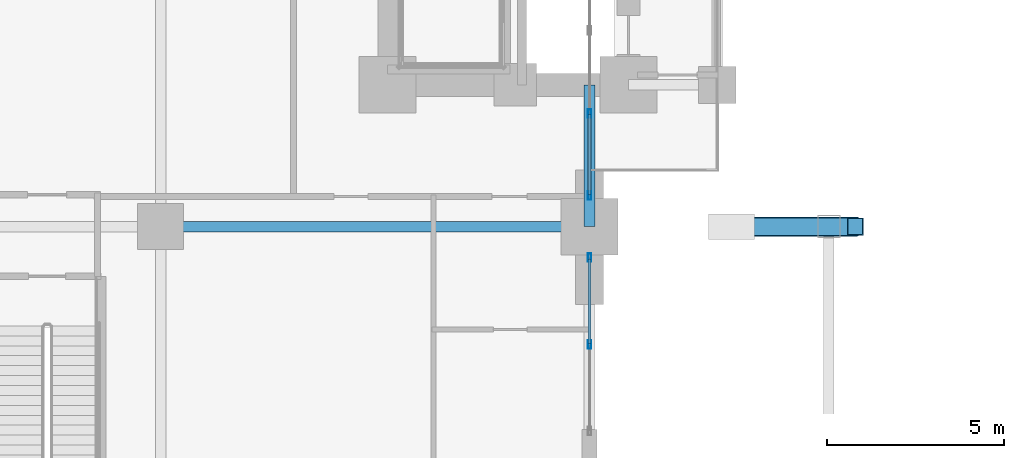
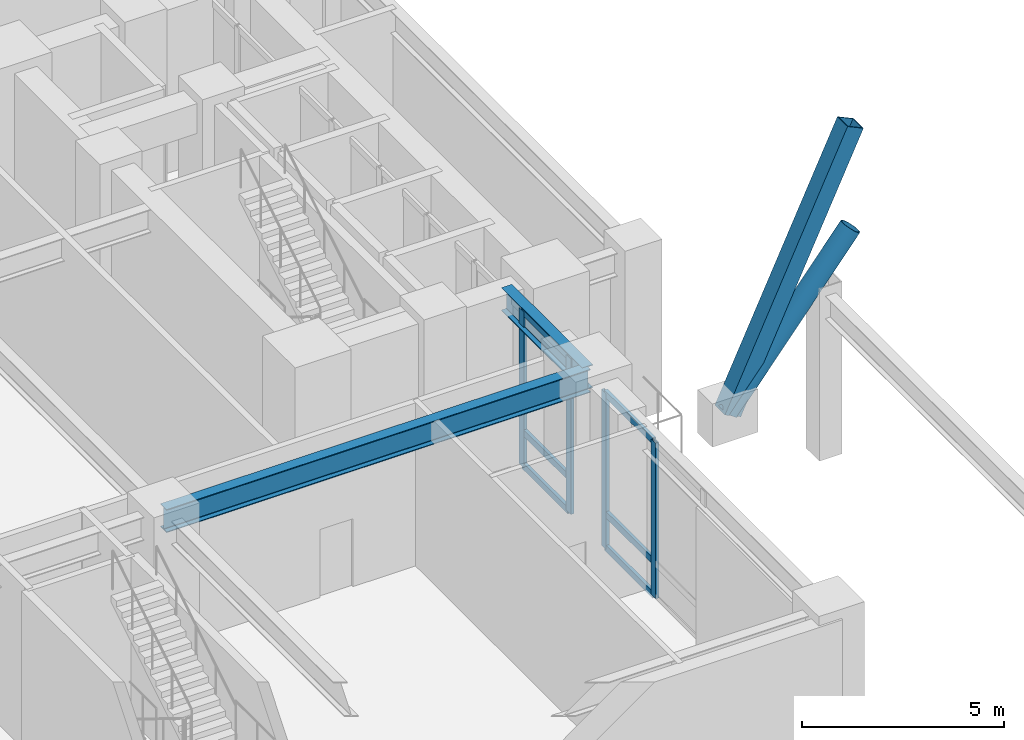
# One storey, part 3 of 26: 12 members, 2 beams, 2 elements without a shape of their own.
"""IFC4 building model written with IfcOpenShell, lengths in metres."""

from ifc_helpers import new_model, si_unit, direction, frame, origin, origin_2d, place, context, subcontext, project, spatial, hollow_rectangle, hollow_circle, i_section, extrude, material, layer, layer_set, material_profile, profile_set, type_object, element, aggregate, save


model = new_model("IFC4")

# Units and contexts
model_context = context("Model", 3, precision=1e-05, world=origin(), true_north=direction((0.0, 1.0)))
body_context = subcontext(model_context, "Body", "Model", "MODEL_VIEW")
ifc_project = project(units=[si_unit("LENGTHUNIT", "METRE"), si_unit("AREAUNIT", "SQUARE_METRE"), si_unit("VOLUMEUNIT", "CUBIC_METRE"), si_unit("PLANEANGLEUNIT", "RADIAN"), si_unit("MASSUNIT", "GRAM", prefix="KILO")], contexts=[model_context])

# Site, building, storey
site_placement = place(None, origin())
site = spatial("IfcSite", under=ifc_project, at=site_placement, CompositionType="ELEMENT")
building_placement = place(site_placement, origin())
building = spatial("IfcBuilding", under=site, at=building_placement, Name="Voryun Gate Residences", CompositionType="ELEMENT")
storey_placement = place(building_placement, frame((0.0, 0.0, 10.39990234375)))
storey = spatial("IfcBuildingStorey", under=building, at=storey_placement, Name="L02", CompositionType="ELEMENT", Elevation=10.39990234375)

# Beams
ifc_material_1 = material(Name="Steel SM355", Category="steel")
ifc_material_profile_1 = material_profile(ifc_material_1, i_section(OverallWidth=0.300048828125, OverallDepth=0.699951171875, WebThickness=0.012939453125, FlangeThickness=0.02392578125, FilletRadius=0.01806640625, at=origin_2d()), Name="H-700x300x13x24")
ifc_profile_set_1 = profile_set([ifc_material_profile_1], Name="Steel SM355")
beam_type = type_object("IfcBeamType", Name="BM_GIRD_700", PredefinedType="USERDEFINED", material=ifc_profile_set_1)
beam_1_placement = place(storey_placement, frame((-25.60009765625, -11.39990234375, 4.570068359375), z_axis=(1.0, 0.0, 0.0), x_axis=(0.0, 1.0, 0.0)))
element("IfcBeam", 1, at=beam_1_placement, inside=storey, type_object=beam_type, Name="BM-L02-PWX--11.4-1", ObjectType="GIRDER", PredefinedType="USERDEFINED", context=body_context, shape_type="SweptSolid", body=[
    extrude(i_section(OverallWidth=0.300048828125, OverallDepth=0.699951171875, WebThickness=0.012939453125, FlangeThickness=0.02392578125, FilletRadius=0.01806640625, at=origin_2d()), origin(), (0.0, 0.0, 1.0), 12.10009765625),
])
beam_2_placement = place(storey_placement, frame((-13.5, -11.39990234375, 4.570068359375), z_axis=(0.0, 1.0, 0.0), x_axis=(-1.0, 0.0, 0.0)))
element("IfcBeam", 2, at=beam_2_placement, inside=storey, type_object=beam_type, Name="BM-L02-PWYA--11.4", ObjectType="GIRDER", PredefinedType="USERDEFINED", context=body_context, shape_type="SweptSolid", body=[
    extrude(i_section(OverallWidth=0.300048828125, OverallDepth=0.699951171875, WebThickness=0.012939453125, FlangeThickness=0.02392578125, FilletRadius=0.01806640625, at=origin_2d()), origin(), (0.0, 0.0, 1.0), 4.0),
])

# Curtain wall, members
ifc_material_2 = material(Name="Anodised aluminium", Category="aluminium")
ifc_layer = layer(ifc_material_2, 0.239990234375, Name="CW_SYS_ARCH_DARK_GLASS")
ifc_layer_set = layer_set([ifc_layer], Name="Anodised aluminium")
curtain_wall_type = type_object("IfcCurtainWallType", Name="CW_SYS_ARCH_DARK_GLASS", PredefinedType="NOTDEFINED", material=ifc_layer_set)
curtain_wall_1_placement = place(storey_placement, origin())
curtain_wall_1 = element("IfcCurtainWall", 3, at=curtain_wall_1_placement, inside=storey, type_object=curtain_wall_type, Name="Curtain wall CW2-L02-WP-S", PredefinedType="NOTDEFINED")
ifc_material_3 = material(Name="Anodised aluminium", Category="aluminium")
ifc_material_profile_2 = material_profile(ifc_material_3, hollow_rectangle(XDim=0.090087890625, YDim=0.239990234375, WallThickness=0.006103515625, at=origin_2d()), Name="ALU-MULL-240x90x6")
ifc_profile_set_2 = profile_set([ifc_material_profile_2], Name="Anodised aluminium")
member_type_1 = type_object("IfcMemberType", Name="CW_MULL_ARCH", PredefinedType="MULLION", material=ifc_profile_set_2)
member_1_placement = place(storey_placement, frame((-13.5, -14.722412109375, 0.0), z_axis=(0.0, 0.0, 1.0), x_axis=(-1.0, 0.0, 0.0)))
member_1 = element("IfcMember", 4, at=member_1_placement, type_object=member_type_1, Name="CW2 mullion 2", PredefinedType="MULLION", context=body_context, shape_type="SweptSolid", body=[
    extrude(hollow_rectangle(XDim=0.090087890625, YDim=0.239990234375, WallThickness=0.006103515625, at=origin_2d()), origin(), (0.0, 0.0, 1.0), 4.7001953125),
])
member_2_placement = place(storey_placement, frame((-13.5, -12.27490234375, 0.0), z_axis=(0.0, 0.0, 1.0), x_axis=(-1.0, 0.0, 0.0)))
member_2 = element("IfcMember", 5, at=member_2_placement, type_object=member_type_1, Name="CW2 mullion 3", PredefinedType="MULLION", context=body_context, shape_type="SweptSolid", body=[
    extrude(hollow_rectangle(XDim=0.090087890625, YDim=0.239990234375, WallThickness=0.006103515625, at=origin_2d()), origin(), (0.0, 0.0, 1.0), 4.7001953125),
])

curtain_wall_2_placement = place(storey_placement, origin())
curtain_wall_2 = element("IfcCurtainWall", 6, at=curtain_wall_2_placement, inside=storey, type_object=curtain_wall_type, Name="Curtain wall CW2-L02-WP-M", PredefinedType="NOTDEFINED")
member_3_placement = place(storey_placement, frame((-13.5, -10.52490234375, 0.0), z_axis=(0.0, 0.0, 1.0), x_axis=(-1.0, 0.0, 0.0)))
member_3 = element("IfcMember", 7, at=member_3_placement, type_object=member_type_1, Name="CW2 mullion 1", PredefinedType="MULLION", context=body_context, shape_type="SweptSolid", body=[
    extrude(hollow_rectangle(XDim=0.090087890625, YDim=0.239990234375, WallThickness=0.006103515625, at=origin_2d()), origin(), (0.0, 0.0, 1.0), 4.7001953125),
])
member_4_placement = place(storey_placement, frame((-13.5, -8.20947265625, 0.0), z_axis=(0.0, 0.0, 1.0), x_axis=(-1.0, 0.0, 0.0)))
member_4 = element("IfcMember", 8, at=member_4_placement, type_object=member_type_1, Name="CW2 mullion 2", PredefinedType="MULLION", context=body_context, shape_type="SweptSolid", body=[
    extrude(hollow_rectangle(XDim=0.090087890625, YDim=0.239990234375, WallThickness=0.006103515625, at=origin_2d()), origin(), (0.0, 0.0, 1.0), 4.7001953125),
])

# Member
ifc_material_4 = material(Name="Anodised aluminium", Category="aluminium")
ifc_material_profile_3 = material_profile(ifc_material_4, hollow_rectangle(XDim=0.090087890625, YDim=0.199951171875, WallThickness=0.006103515625, at=origin_2d()), Name="ALU-TRAN-200x90x6")
ifc_profile_set_3 = profile_set([ifc_material_profile_3], Name="Anodised aluminium")
member_type_2 = type_object("IfcMemberType", Name="CW_TRAN_ARCH", PredefinedType="USERDEFINED", material=ifc_profile_set_3)
member_5_placement = place(storey_placement, frame((-13.5, -14.6923828125, 0.030029296875), z_axis=(0.0, 1.0, 0.0), x_axis=(-1.0, 0.0, 0.0)))
member_5 = element("IfcMember", 9, at=member_5_placement, type_object=member_type_2, Name="CW2 transom 2.1", ObjectType="TRANSOM", PredefinedType="USERDEFINED", context=body_context, shape_type="SweptSolid", body=[
    extrude(hollow_rectangle(XDim=0.090087890625, YDim=0.199951171875, WallThickness=0.006103515625, at=origin_2d()), origin(), (0.0, 0.0, 1.0), 2.387451171875),
])

member_6_placement = place(storey_placement, frame((-13.5, -14.6923828125, 1.050048828125), z_axis=(0.0, 1.0, 0.0), x_axis=(-1.0, 0.0, 0.0)))
member_6 = element("IfcMember", 10, at=member_6_placement, type_object=member_type_2, Name="CW2 transom 2.2", ObjectType="TRANSOM", PredefinedType="USERDEFINED", context=body_context, shape_type="SweptSolid", body=[
    extrude(hollow_rectangle(XDim=0.090087890625, YDim=0.199951171875, WallThickness=0.006103515625, at=origin_2d()), origin(), (0.0, 0.0, 1.0), 2.387451171875),
])

member_7_placement = place(storey_placement, frame((-13.5, -14.6923828125, 4.670166015625), z_axis=(0.0, 1.0, 0.0), x_axis=(-1.0, 0.0, 0.0)))
member_7 = element("IfcMember", 11, at=member_7_placement, type_object=member_type_2, Name="CW2 transom 2.3", ObjectType="TRANSOM", PredefinedType="USERDEFINED", context=body_context, shape_type="SweptSolid", body=[
    extrude(hollow_rectangle(XDim=0.090087890625, YDim=0.199951171875, WallThickness=0.006103515625, at=origin_2d()), origin(), (0.0, 0.0, 1.0), 2.387451171875),
])

aggregate(curtain_wall_1, [member_1, member_2, member_5, member_6, member_7])

member_8_placement = place(storey_placement, frame((-13.5, -10.4951171875, 0.030029296875), z_axis=(0.0, 1.0, 0.0), x_axis=(-1.0, 0.0, 0.0)))
member_8 = element("IfcMember", 12, at=member_8_placement, type_object=member_type_2, Name="CW2 transom 1.1", ObjectType="TRANSOM", PredefinedType="USERDEFINED", context=body_context, shape_type="SweptSolid", body=[
    extrude(hollow_rectangle(XDim=0.090087890625, YDim=0.199951171875, WallThickness=0.006103515625, at=origin_2d()), origin(), (0.0, 0.0, 1.0), 2.255615234375),
])

member_9_placement = place(storey_placement, frame((-13.5, -10.4951171875, 1.050048828125), z_axis=(0.0, 1.0, 0.0), x_axis=(-1.0, 0.0, 0.0)))
member_9 = element("IfcMember", 13, at=member_9_placement, type_object=member_type_2, Name="CW2 transom 1.2", ObjectType="TRANSOM", PredefinedType="USERDEFINED", context=body_context, shape_type="SweptSolid", body=[
    extrude(hollow_rectangle(XDim=0.090087890625, YDim=0.199951171875, WallThickness=0.006103515625, at=origin_2d()), origin(), (0.0, 0.0, 1.0), 2.255615234375),
])

member_10_placement = place(storey_placement, frame((-13.5, -10.4951171875, 4.670166015625), z_axis=(0.0, 1.0, 0.0), x_axis=(-1.0, 0.0, 0.0)))
member_10 = element("IfcMember", 14, at=member_10_placement, type_object=member_type_2, Name="CW2 transom 1.3", ObjectType="TRANSOM", PredefinedType="USERDEFINED", context=body_context, shape_type="SweptSolid", body=[
    extrude(hollow_rectangle(XDim=0.090087890625, YDim=0.199951171875, WallThickness=0.006103515625, at=origin_2d()), origin(), (0.0, 0.0, 1.0), 2.255615234375),
])

aggregate(curtain_wall_2, [member_3, member_4, member_8, member_9, member_10])

# Members
ifc_material_5 = material(Name="Steel SM420", Category="steel")
ifc_material_profile_4 = material_profile(ifc_material_5, hollow_rectangle(XDim=0.5, YDim=0.5, WallThickness=0.02392578125, at=origin_2d()), Name="BOX-500x500x24")
ifc_profile_set_4 = profile_set([ifc_material_profile_4], Name="Steel SM420")
member_type_3 = type_object("IfcMemberType", Name="MBR_ARCH_WEB", PredefinedType="BRACE", material=ifc_profile_set_4)
member_11_placement = place(storey_placement, frame((-9.5, -11.39990234375, 2.170166015625), z_axis=(0.423814209745, 0.0, 0.905749146077), x_axis=(0.0, 1.0, 0.0)))
element("IfcMember", 15, at=member_11_placement, inside=storey, type_object=member_type_3, Name="Parabolic Tied-Arch Web Brace S-2", PredefinedType="BRACE", context=body_context, shape_type="SweptSolid", body=[
    extrude(hollow_rectangle(XDim=0.5, YDim=0.5, WallThickness=0.02392578125, at=origin_2d()), origin(), (0.0, 0.0, 1.0), 8.25830078125),
])
ifc_material_6 = material(Name="Steel SM420", Category="steel")
ifc_material_profile_5 = material_profile(ifc_material_6, hollow_circle(Radius=0.280029296875, WallThickness=0.02587890625, at=origin_2d()), Name="CHS-560x26")
ifc_profile_set_5 = profile_set([ifc_material_profile_5], Name="Steel SM420")
member_type_4 = type_object("IfcMemberType", Name="MBR_CANT_STRUT_B2", PredefinedType="STRUT", material=ifc_profile_set_5)
member_12_placement = place(storey_placement, frame((-9.5, -11.39990234375, 2.170166015625), z_axis=(0.627231505049, 0.0, 0.778832869795), x_axis=(0.0, 1.0, 0.0)))
element("IfcMember", 16, at=member_12_placement, inside=storey, type_object=member_type_4, Name="Parabolic Tied-Arch Rib Member S Segment 2", PredefinedType="STRUT", context=body_context, shape_type="SweptSolid", body=[
    extrude(hollow_circle(Radius=0.280029296875, WallThickness=0.02587890625, at=origin_2d()), origin(), (0.0, 0.0, 1.0), 5.580078125),
])

save(model, "model.ifc")
